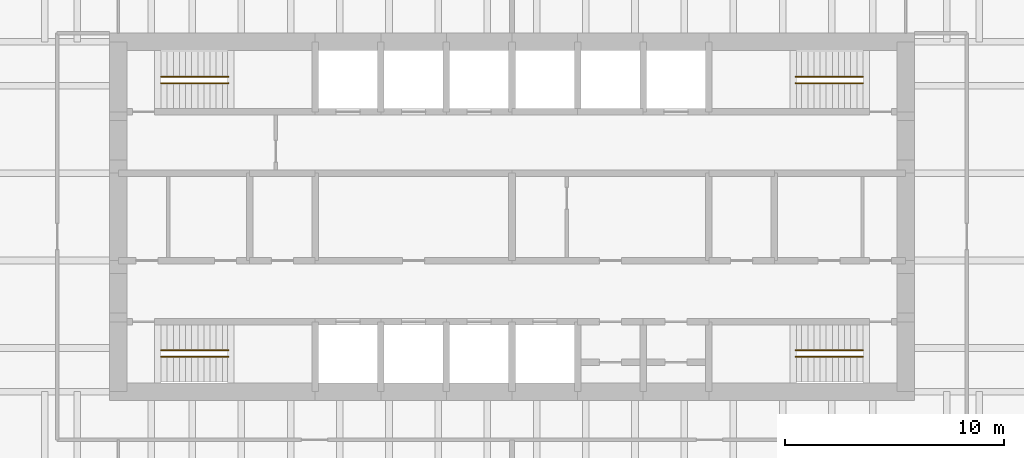
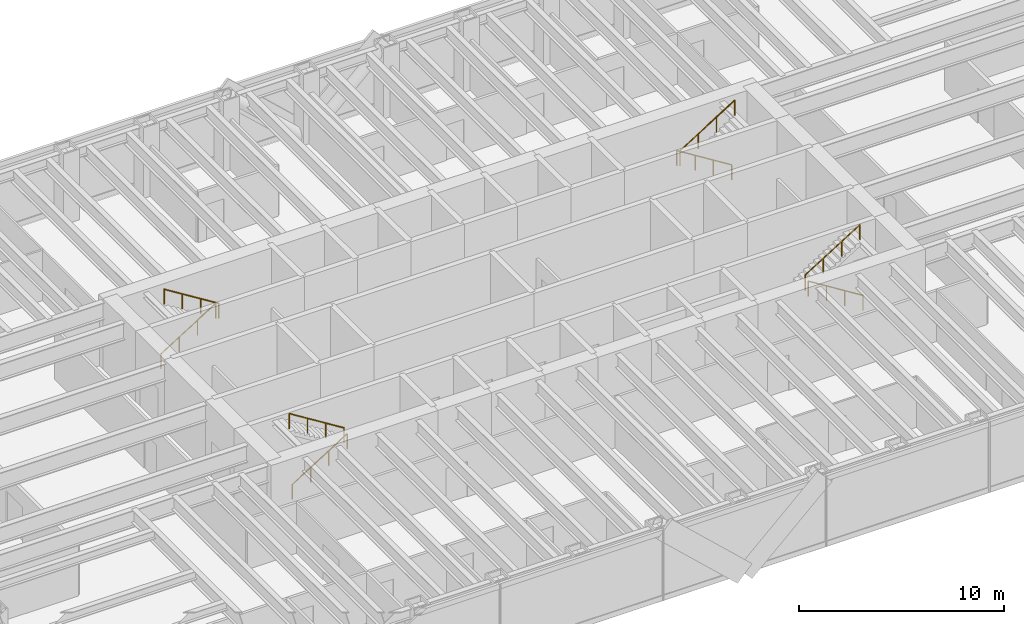
# One storey, part 18 of 18: 8 railings.
"""IFC4 building model written with IfcOpenShell, lengths in metres."""

from ifc_helpers import new_model, si_unit, direction, frame, origin, origin_2d, place, context, subcontext, project, spatial, circle, extrude, material, type_object, element, save


model = new_model("IFC4")

# Units and contexts
model_context = context("Model", 3, precision=1e-05, world=origin(), true_north=direction((0.0, 1.0)))
body_context = subcontext(model_context, "Body", "Model", "MODEL_VIEW")
ifc_project = project(units=[si_unit("LENGTHUNIT", "METRE"), si_unit("AREAUNIT", "SQUARE_METRE"), si_unit("VOLUMEUNIT", "CUBIC_METRE"), si_unit("PLANEANGLEUNIT", "RADIAN"), si_unit("MASSUNIT", "GRAM", prefix="KILO")], contexts=[model_context])

# Site, building, storey
site_placement = place(None, origin())
site = spatial("IfcSite", under=ifc_project, at=site_placement, CompositionType="ELEMENT")
building_placement = place(site_placement, origin())
building = spatial("IfcBuilding", under=site, at=building_placement, Name="Rheinbord Bourse Tower", CompositionType="ELEMENT")
storey_placement = place(building_placement, frame((0.0, 0.0, 244.60009765625)))
storey = spatial("IfcBuildingStorey", under=building, at=storey_placement, Name="L55", CompositionType="ELEMENT", Elevation=244.60009765625)

# Railings
ifc_material = material(Name="Steel handrail", Category="steel")
railing_type = type_object("IfcRailingType", Name="HANDRAIL 900", PredefinedType="HANDRAIL", material=ifc_material)
railing_1_placement = place(storey_placement, frame((19.949951171875, 17.60009765625, 0.1748046875)))
element("IfcRailing", 1, at=railing_1_placement, inside=storey, type_object=railing_type, Name="Handrail", PredefinedType="HANDRAIL", context=body_context, shape_type="SweptSolid", body=[
    extrude(circle(Radius=0.02392578125, at=origin_2d()), frame((0.0, 0.0, 0.8759765625), z_axis=(0.847998304005, 0.0, 0.529998940003), x_axis=(0.0, 1.0, 0.0)), (0.0, 0.0, 1.0), 3.632080078125),
    extrude(circle(Radius=0.02099609375, at=origin_2d()), origin(), (0.0, 0.0, 1.0), 0.851806640625),
    extrude(circle(Radius=0.02099609375, at=origin_2d()), frame((1.026611328125, 0.0, 0.6416015625)), (0.0, 0.0, 1.0), 0.851806640625),
    extrude(circle(Radius=0.02099609375, at=origin_2d()), frame((2.053466796875, 0.0, 1.283447265625)), (0.0, 0.0, 1.0), 0.851806640625),
    extrude(circle(Radius=0.02099609375, at=origin_2d()), frame((3.080078125, 0.0, 1.925048828125)), (0.0, 0.0, 1.0), 0.851806640625),
])
railing_2_placement = place(storey_placement, frame((23.030029296875, 17.89990234375, 2.27490234375)))
element("IfcRailing", 2, at=railing_2_placement, inside=storey, type_object=railing_type, Name="Handrail", PredefinedType="HANDRAIL", context=body_context, shape_type="SweptSolid", body=[
    extrude(circle(Radius=0.02392578125, at=origin_2d()), frame((0.0, 0.0, 0.8759765625), z_axis=(-0.847998304005, 0.0, 0.529998940003), x_axis=(0.0, -1.0, 0.0)), (0.0, 0.0, 1.0), 3.632080078125),
    extrude(circle(Radius=0.02099609375, at=origin_2d()), origin(), (0.0, 0.0, 1.0), 0.851806640625),
    extrude(circle(Radius=0.02099609375, at=origin_2d()), frame((-1.026611328125, 0.0, 0.6416015625)), (0.0, 0.0, 1.0), 0.851806640625),
    extrude(circle(Radius=0.02099609375, at=origin_2d()), frame((-2.053466796875, 0.0, 1.283447265625)), (0.0, 0.0, 1.0), 0.851806640625),
    extrude(circle(Radius=0.02099609375, at=origin_2d()), frame((-3.080078125, 0.0, 1.925048828125)), (0.0, 0.0, 1.0), 0.851806640625),
])
railing_3_placement = place(storey_placement, frame((19.949951171875, 30.39990234375, 0.1748046875)))
element("IfcRailing", 3, at=railing_3_placement, inside=storey, type_object=railing_type, Name="Handrail", PredefinedType="HANDRAIL", context=body_context, shape_type="SweptSolid", body=[
    extrude(circle(Radius=0.02392578125, at=origin_2d()), frame((0.0, 0.0, 0.8759765625), z_axis=(0.847998304005, 0.0, 0.529998940003), x_axis=(0.0, 1.0, 0.0)), (0.0, 0.0, 1.0), 3.632080078125),
    extrude(circle(Radius=0.02099609375, at=origin_2d()), origin(), (0.0, 0.0, 1.0), 0.851806640625),
    extrude(circle(Radius=0.02099609375, at=origin_2d()), frame((1.026611328125, 0.0, 0.6416015625)), (0.0, 0.0, 1.0), 0.851806640625),
    extrude(circle(Radius=0.02099609375, at=origin_2d()), frame((2.053466796875, 0.0, 1.283447265625)), (0.0, 0.0, 1.0), 0.851806640625),
    extrude(circle(Radius=0.02099609375, at=origin_2d()), frame((3.080078125, 0.0, 1.925048828125)), (0.0, 0.0, 1.0), 0.851806640625),
])
for number, where, name in (
    (4, (23.030029296875, 30.10009765625, 2.27490234375), "Handrail"),
    (5, (52.050048828125, 17.60009765625, 0.1748046875), "Handrail"),
):
    element("IfcRailing", number, at=place(storey_placement, frame(where)), inside=storey, type_object=railing_type, Name=name, PredefinedType="HANDRAIL", context=body_context, shape_type="SweptSolid", body=[
        extrude(circle(Radius=0.02392578125, at=origin_2d()), frame((0.0, 0.0, 0.8759765625), z_axis=(-0.847998304005, 0.0, 0.529998940003), x_axis=(0.0, -1.0, 0.0)), (0.0, 0.0, 1.0), 3.632080078125),
        extrude(circle(Radius=0.02099609375, at=origin_2d()), origin(), (0.0, 0.0, 1.0), 0.851806640625),
        extrude(circle(Radius=0.02099609375, at=origin_2d()), frame((-1.026611328125, 0.0, 0.6416015625)), (0.0, 0.0, 1.0), 0.851806640625),
        extrude(circle(Radius=0.02099609375, at=origin_2d()), frame((-2.053466796875, 0.0, 1.283447265625)), (0.0, 0.0, 1.0), 0.851806640625),
        extrude(circle(Radius=0.02099609375, at=origin_2d()), frame((-3.080078125, 0.0, 1.925048828125)), (0.0, 0.0, 1.0), 0.851806640625),
    ])
railing_4_placement = place(storey_placement, frame((48.969970703125, 17.89990234375, 2.27490234375)))
element("IfcRailing", 6, at=railing_4_placement, inside=storey, type_object=railing_type, Name="Handrail", PredefinedType="HANDRAIL", context=body_context, shape_type="SweptSolid", body=[
    extrude(circle(Radius=0.02392578125, at=origin_2d()), frame((0.0, 0.0, 0.8759765625), z_axis=(0.847998304005, 0.0, 0.529998940003), x_axis=(0.0, 1.0, 0.0)), (0.0, 0.0, 1.0), 3.632080078125),
    extrude(circle(Radius=0.02099609375, at=origin_2d()), origin(), (0.0, 0.0, 1.0), 0.851806640625),
    extrude(circle(Radius=0.02099609375, at=origin_2d()), frame((1.026611328125, 0.0, 0.6416015625)), (0.0, 0.0, 1.0), 0.851806640625),
    extrude(circle(Radius=0.02099609375, at=origin_2d()), frame((2.053466796875, 0.0, 1.283447265625)), (0.0, 0.0, 1.0), 0.851806640625),
    extrude(circle(Radius=0.02099609375, at=origin_2d()), frame((3.080078125, 0.0, 1.925048828125)), (0.0, 0.0, 1.0), 0.851806640625),
])
railing_5_placement = place(storey_placement, frame((52.050048828125, 30.39990234375, 0.1748046875)))
element("IfcRailing", 7, at=railing_5_placement, inside=storey, type_object=railing_type, Name="Handrail", PredefinedType="HANDRAIL", context=body_context, shape_type="SweptSolid", body=[
    extrude(circle(Radius=0.02392578125, at=origin_2d()), frame((0.0, 0.0, 0.8759765625), z_axis=(-0.847998304005, 0.0, 0.529998940003), x_axis=(0.0, -1.0, 0.0)), (0.0, 0.0, 1.0), 3.632080078125),
    extrude(circle(Radius=0.02099609375, at=origin_2d()), origin(), (0.0, 0.0, 1.0), 0.851806640625),
    extrude(circle(Radius=0.02099609375, at=origin_2d()), frame((-1.026611328125, 0.0, 0.6416015625)), (0.0, 0.0, 1.0), 0.851806640625),
    extrude(circle(Radius=0.02099609375, at=origin_2d()), frame((-2.053466796875, 0.0, 1.283447265625)), (0.0, 0.0, 1.0), 0.851806640625),
    extrude(circle(Radius=0.02099609375, at=origin_2d()), frame((-3.080078125, 0.0, 1.925048828125)), (0.0, 0.0, 1.0), 0.851806640625),
])
railing_6_placement = place(storey_placement, frame((48.969970703125, 30.10009765625, 2.27490234375)))
element("IfcRailing", 8, at=railing_6_placement, inside=storey, type_object=railing_type, Name="Handrail", PredefinedType="HANDRAIL", context=body_context, shape_type="SweptSolid", body=[
    extrude(circle(Radius=0.02392578125, at=origin_2d()), frame((0.0, 0.0, 0.8759765625), z_axis=(0.847998304005, 0.0, 0.529998940003), x_axis=(0.0, 1.0, 0.0)), (0.0, 0.0, 1.0), 3.632080078125),
    extrude(circle(Radius=0.02099609375, at=origin_2d()), origin(), (0.0, 0.0, 1.0), 0.851806640625),
    extrude(circle(Radius=0.02099609375, at=origin_2d()), frame((1.026611328125, 0.0, 0.6416015625)), (0.0, 0.0, 1.0), 0.851806640625),
    extrude(circle(Radius=0.02099609375, at=origin_2d()), frame((2.053466796875, 0.0, 1.283447265625)), (0.0, 0.0, 1.0), 0.851806640625),
    extrude(circle(Radius=0.02099609375, at=origin_2d()), frame((3.080078125, 0.0, 1.925048828125)), (0.0, 0.0, 1.0), 0.851806640625),
])

save(model, "model.ifc")
